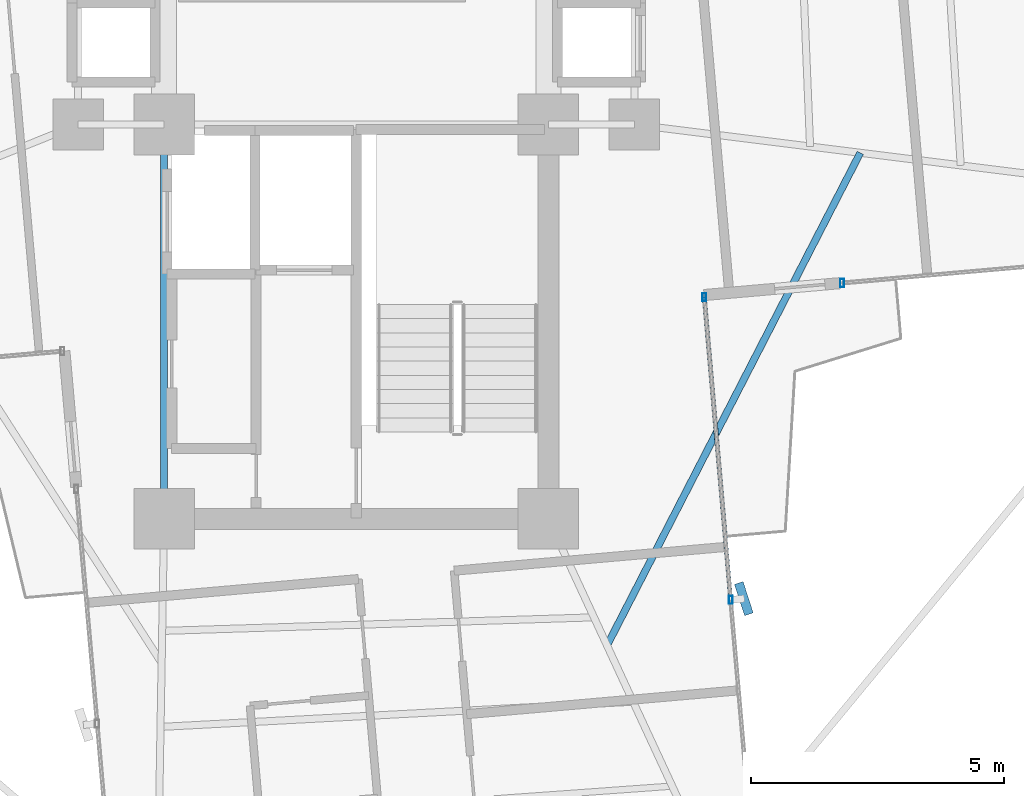
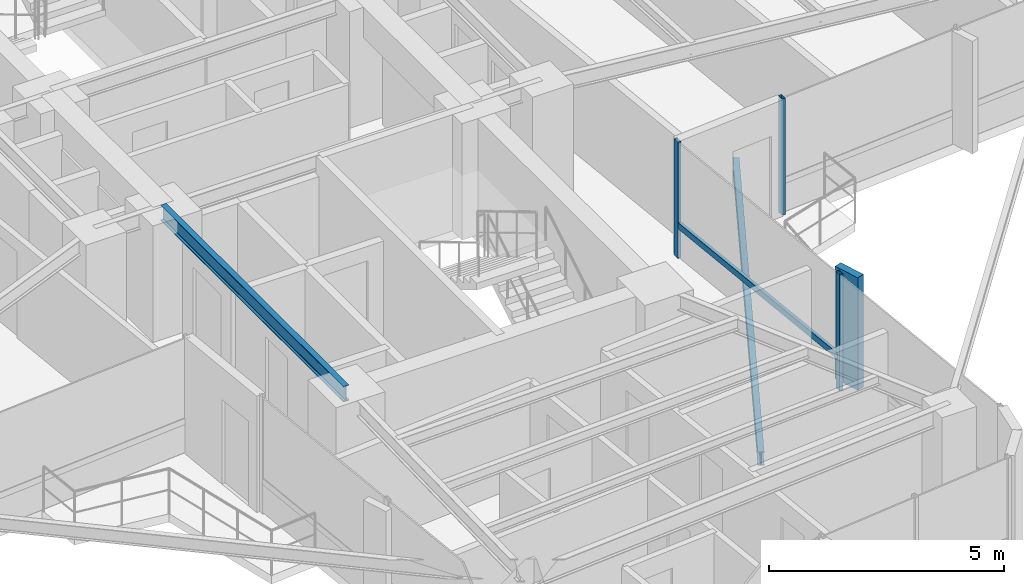
# One storey, part 7 of 24: 5 members, 2 beams, 2 elements without a shape of their own.
"""IFC4 building model written with IfcOpenShell, lengths in metres."""

from ifc_helpers import new_model, si_unit, direction, frame, origin, origin_2d, place, context, subcontext, project, spatial, rectangle, hollow_rectangle, i_section, extrude, source, transform, mapped, material, material_profile, profile_set, type_object, element, aggregate, save


model = new_model("IFC4")

# Units and contexts
model_context = context("Model", 3, precision=1e-05, world=origin(), true_north=direction((0.0, 1.0)))
body_context = subcontext(model_context, "Body", "Model", "MODEL_VIEW")
ifc_project = project(units=[si_unit("LENGTHUNIT", "METRE"), si_unit("AREAUNIT", "SQUARE_METRE"), si_unit("VOLUMEUNIT", "CUBIC_METRE"), si_unit("PLANEANGLEUNIT", "RADIAN"), si_unit("MASSUNIT", "GRAM", prefix="KILO")], contexts=[model_context])

# Site, building, storey
site_placement = place(None, origin())
site = spatial("IfcSite", under=ifc_project, at=site_placement, CompositionType="ELEMENT")
building_placement = place(site_placement, origin())
building = spatial("IfcBuilding", under=site, at=building_placement, Name="Sahyath Konkavel Grand Hotel", CompositionType="ELEMENT")
storey_placement = place(building_placement, frame((0.0, 0.0, 198.64990234375)))
storey = spatial("IfcBuildingStorey", under=building, at=storey_placement, Name="L55", CompositionType="ELEMENT", Elevation=198.64990234375)

# Beam
ifc_material_1 = material(Name="Steel E350", Category="steel")
ifc_material_profile_1 = material_profile(ifc_material_1, i_section(OverallWidth=0.139892578125, OverallDepth=0.39990234375, WebThickness=0.0087890625, FlangeThickness=0.01611328125, FilletRadius=0.013916015625, at=origin_2d()), Name="ISMB 400")
ifc_profile_set_1 = profile_set([ifc_material_profile_1], Name="Steel E350")
beam_type_1 = type_object("IfcBeamType", Name="BM-ISMB400", PredefinedType="BEAM", material=ifc_profile_set_1)
shared_shape_1 = source(origin(), body_context, "Body", "SweptSolid", [
    extrude(i_section(OverallWidth=0.139892578125, OverallDepth=0.39990234375, WebThickness=0.0087890625, FlangeThickness=0.01611328125, FilletRadius=0.013916015625, at=origin_2d()), origin(), (0.0, 0.0, 1.0), 7.800048828125),
])
beam_1_placement = place(storey_placement, frame((-3.800048828125, -10.199951171875, 2.830078125), z_axis=(0.0, 1.0, 0.0), x_axis=(-1.0, 0.0, 0.0)))
element("IfcBeam", 1, at=beam_1_placement, inside=storey, type_object=beam_type_1, Name="str:bm:L55:SC-W", PredefinedType="BEAM", context=body_context, shape_type="MappedRepresentation", body=[
    mapped(shared_shape_1, transform((0.0, 0.0, 0.0), scale=1.0)),
])

# Curtain wall, member
ifc_material_2 = material(Name="Anodised Bronze Aluminium & Low-E Glazing", Category="aluminium")
curtain_wall_type = type_object("IfcCurtainWallType", Name="CW-ZONE3", PredefinedType="NOTDEFINED", material=ifc_material_2)
curtain_wall_1_placement = place(storey_placement, origin())
curtain_wall_1 = element("IfcCurtainWall", 2, at=curtain_wall_1_placement, inside=storey, type_object=curtain_wall_type, Name="L55 Unitised Curtain Wall F0", PredefinedType="NOTDEFINED")
ifc_material_3 = material(Name="Anodised Bronze Aluminium", Category="aluminium")
ifc_material_profile_2 = material_profile(ifc_material_3, hollow_rectangle(XDim=0.080078125, YDim=0.159912109375, WallThickness=0.006103515625, at=origin_2d()), Name="RHS 160x80x6")
ifc_profile_set_2 = profile_set([ifc_material_profile_2], Name="Anodised Bronze Aluminium")
member_type_1 = type_object("IfcMemberType", Name="CW-MUL-160", PredefinedType="MULLION", material=ifc_profile_set_2)
shared_shape_2 = source(origin(), body_context, "Body", "SweptSolid", [
    extrude(hollow_rectangle(XDim=0.080078125, YDim=0.159912109375, WallThickness=0.006103515625, at=origin_2d()), origin(), (0.0, 0.0, 1.0), 3.030029296875),
])
member_1_placement = place(storey_placement, frame((9.60888671875, -5.53369140625, 0.0), z_axis=(0.0, 0.0, 1.0), x_axis=(1.0, 0.0, 0.0)))
member_1 = element("IfcMember", 3, at=member_1_placement, type_object=member_type_1, Name="L55 Curtain Wall Mullion F0-0", PredefinedType="MULLION", context=body_context, shape_type="MappedRepresentation", body=[
    mapped(shared_shape_2, transform((0.0, 0.0, 0.0), scale=1.0)),
])
aggregate(curtain_wall_1, [member_1])

# Curtain wall, members
curtain_wall_2_placement = place(storey_placement, origin())
curtain_wall_2 = element("IfcCurtainWall", 4, at=curtain_wall_2_placement, inside=storey, type_object=curtain_wall_type, Name="L55 Unitised Curtain Wall F31", PredefinedType="NOTDEFINED")
member_2_placement = place(storey_placement, frame((7.406494140625, -11.79931640625, 0.0), z_axis=(0.0, 0.0, 1.0), x_axis=(1.0, 0.0, 0.0)))
member_2 = element("IfcMember", 5, at=member_2_placement, type_object=member_type_1, Name="L55 Curtain Wall Mullion F31-1", PredefinedType="MULLION", context=body_context, shape_type="MappedRepresentation", body=[
    mapped(shared_shape_2, transform((0.0, 0.0, 0.0), scale=1.0)),
])
member_3_placement = place(storey_placement, frame((6.8828125, -5.812255859375, 0.0), z_axis=(0.0, 0.0, 1.0), x_axis=(1.0, 0.0, 0.0)))
member_3 = element("IfcMember", 6, at=member_3_placement, type_object=member_type_1, Name="L55 Curtain Wall Mullion F31-2", PredefinedType="MULLION", context=body_context, shape_type="MappedRepresentation", body=[
    mapped(shared_shape_2, transform((0.0, 0.0, 0.0), scale=1.0)),
])
ifc_material_4 = material(Name="Warm Buff Sandstone Cladding on Concrete C50/60", Category="masonry")
ifc_material_profile_3 = material_profile(ifc_material_4, rectangle(XDim=0.179931640625, YDim=0.64990234375, at=origin_2d()), Name="FIN 180x650")
ifc_profile_set_3 = profile_set([ifc_material_profile_3], Name="Warm Buff Sandstone Cladding on Concrete C50/60")
member_type_2 = type_object("IfcMemberType", Name="FIN-SANDSTONE-650", PredefinedType="MULLION", material=ifc_profile_set_3)
shared_shape_3 = source(origin(), body_context, "Body", "SweptSolid", [
    extrude(rectangle(XDim=0.179931640625, YDim=0.64990234375, at=origin_2d()), origin(), (0.0, 0.0, 1.0), 2.929931640625),
])
member_4_placement = place(storey_placement, frame((7.66552734375, -11.776611328125, 0.050048828125), z_axis=(0.0, 0.0, 1.0), x_axis=(0.951056516295, 0.309016994375, 0.0)))
member_4 = element("IfcMember", 7, at=member_4_placement, type_object=member_type_2, Name="L55 Sandstone Vertical Solar Fin FIN F31-1", PredefinedType="MULLION", context=body_context, shape_type="MappedRepresentation", body=[
    mapped(shared_shape_3, transform((0.0, 0.0, 0.0), scale=1.0)),
])
ifc_material_profile_4 = material_profile(ifc_material_3, hollow_rectangle(XDim=0.080078125, YDim=0.159912109375, WallThickness=0.006103515625, at=origin_2d()), Name="RHS 160x80x6")
ifc_profile_set_4 = profile_set([ifc_material_profile_4], Name="Anodised Bronze Aluminium")
member_type_3 = type_object("IfcMemberType", Name="CW-TRN-160", PredefinedType="USERDEFINED", material=ifc_profile_set_4)
shared_shape_4 = source(origin(), body_context, "Body", "SweptSolid", [
    extrude(hollow_rectangle(XDim=0.080078125, YDim=0.159912109375, WallThickness=0.006103515625, at=origin_2d()), origin(), (0.0, 0.0, 1.0), 6.010009765625),
])
member_5_placement = place(storey_placement, frame((7.406494140625, -11.79931640625, 0.85009765625), z_axis=(-0.087136210597, 0.996196406741, 0.0), x_axis=(-0.996196406741, -0.087136210597, 0.0)))
member_5 = element("IfcMember", 8, at=member_5_placement, type_object=member_type_3, Name="L55 Curtain Wall Transom F31-1-spandrel", ObjectType="TRANSOM", PredefinedType="USERDEFINED", context=body_context, shape_type="MappedRepresentation", body=[
    mapped(shared_shape_4, transform((0.0, 0.0, 0.0), scale=1.0)),
])
aggregate(curtain_wall_2, [member_2, member_4, member_3, member_5])

# Beam
ifc_material_profile_5 = material_profile(ifc_material_1, i_section(OverallWidth=0.139892578125, OverallDepth=0.35009765625, WebThickness=0.008056640625, FlangeThickness=0.01416015625, FilletRadius=0.013916015625, at=origin_2d()), Name="ISMB 350")
ifc_profile_set_5 = profile_set([ifc_material_profile_5], Name="Steel E350")
beam_type_2 = type_object("IfcBeamType", Name="BM-BALC-CANT", PredefinedType="BEAM", material=ifc_profile_set_5)
shared_shape_5 = source(origin(), body_context, "Body", "SweptSolid", [
    extrude(i_section(OverallWidth=0.139892578125, OverallDepth=0.35009765625, WebThickness=0.008056640625, FlangeThickness=0.01416015625, FilletRadius=0.013916015625, at=origin_2d()), origin(), (0.0, 0.0, 1.0), 10.95556640625),
])
beam_2_placement = place(storey_placement, frame((4.959716796875, -12.703125, -0.414794921875), z_axis=(0.457186878355, 0.889370652912, 0.0), x_axis=(-0.889370652912, 0.457186878355, 0.0)))
element("IfcBeam", 9, at=beam_2_placement, inside=storey, type_object=beam_type_2, Name="L55 Balcony Cantilever Support Beam SE", PredefinedType="BEAM", context=body_context, shape_type="MappedRepresentation", body=[
    mapped(shared_shape_5, transform((0.0, 0.0, 0.0), scale=1.0)),
])

save(model, "model.ifc")
